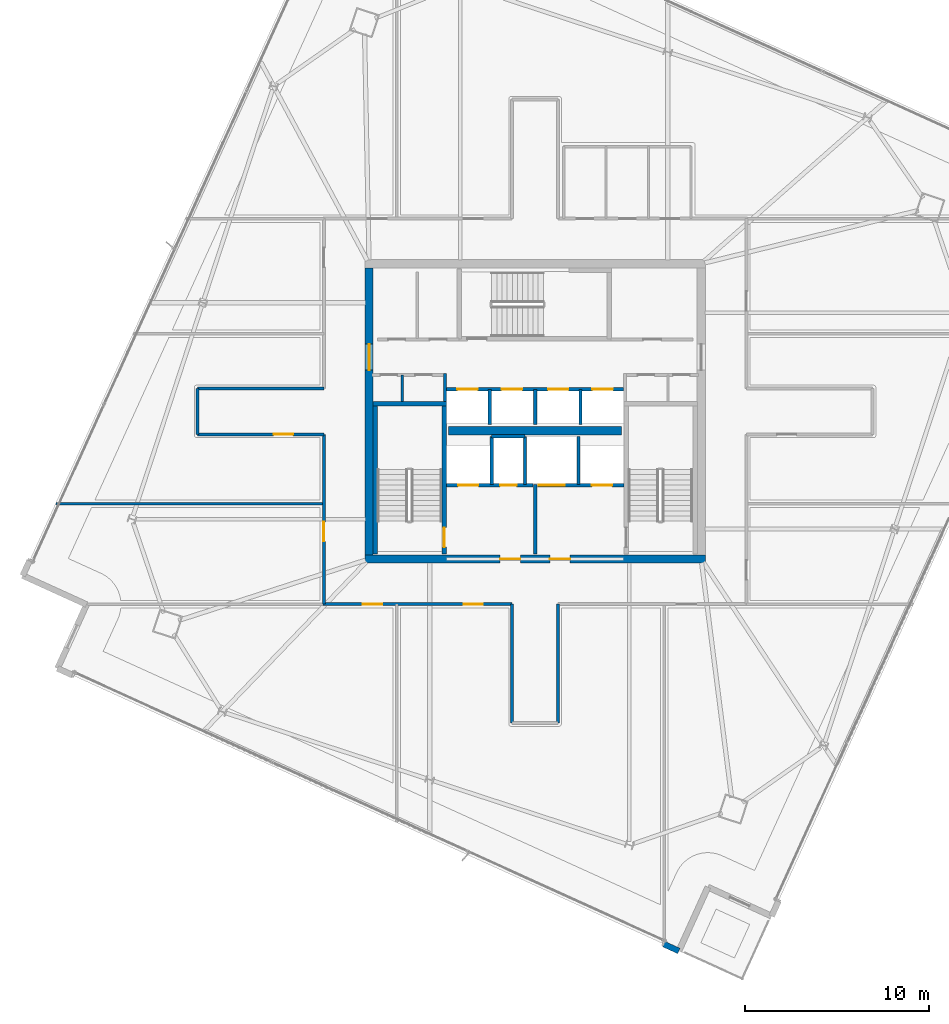
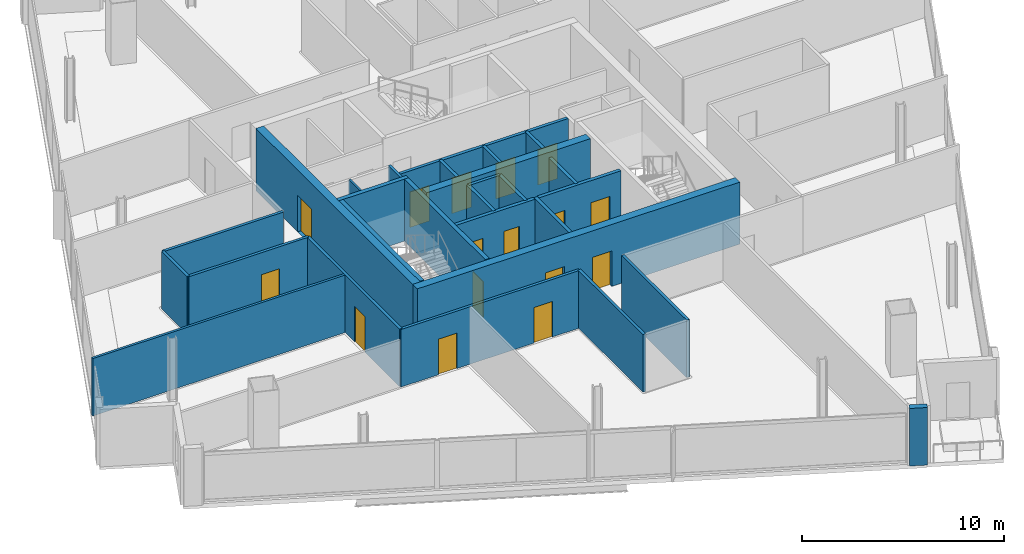
# One storey, part 19 of 26: 28 walls, 16 doors, 16 openings.
"""IFC4 building model written with IfcOpenShell, lengths in metres."""

from ifc_helpers import new_model, si_unit, direction, frame, frame_2d, origin, place, context, subcontext, project, spatial, rectangle, extrude, material, layer, layer_set, type_object, element, fill, save


model = new_model("IFC4")

# Units and contexts
model_context = context("Model", 3, precision=1e-05, world=origin(), true_north=direction((0.0, 1.0)))
body_context = subcontext(model_context, "Body", "Model", "MODEL_VIEW")
ifc_project = project(units=[si_unit("LENGTHUNIT", "METRE"), si_unit("AREAUNIT", "SQUARE_METRE"), si_unit("VOLUMEUNIT", "CUBIC_METRE"), si_unit("PLANEANGLEUNIT", "RADIAN"), si_unit("MASSUNIT", "GRAM", prefix="KILO")], contexts=[model_context])

# Site, building, storey
site_placement = place(None, origin())
site = spatial("IfcSite", under=ifc_project, at=site_placement, CompositionType="ELEMENT")
building_placement = place(site_placement, origin())
building = spatial("IfcBuilding", under=site, at=building_placement, Name="Haldenkirk Collegiate Tower", CompositionType="ELEMENT")
storey_placement = place(building_placement, frame((0.0, 0.0, 248.699951171875)))
storey = spatial("IfcBuildingStorey", under=building, at=storey_placement, Name="L62", CompositionType="ELEMENT", Elevation=248.699951171875)

# Wall, openings, doors
ifc_material_1 = material(Name="Concrete f'c 55 MPa", Category="concrete")
ifc_layer_1 = layer(ifc_material_1, 0.449951171875)
ifc_layer_set_1 = layer_set([ifc_layer_1], Name="Concrete f'c 55 MPa")
wall_type_1 = type_object("IfcWallType", Name="WL-CORE-450", PredefinedType="SHEAR", material=ifc_layer_set_1)
wall_1_placement = place(storey_placement, frame((26.77490234375, 18.0, 0.0), z_axis=(0.0, 0.0, 1.0), x_axis=(1.0, 0.0, 0.0)))
wall_1 = element("IfcWall", 1, at=wall_1_placement, inside=storey, type_object=wall_type_1, Name="L62 central core shear wall S", PredefinedType="SHEAR", context=body_context, shape_type="SweptSolid", body=[
    extrude(rectangle(XDim=18.4501953125, YDim=0.449951171875, at=frame_2d((9.22509765625, 0.0))), origin(), (0.0, 0.0, 1.0), 3.75),
])
opening_1_placement = place(wall_1_placement, frame((7.324951171875, 0.0, 0.0)))
opening_1 = element("IfcOpeningElement", 2, at=opening_1_placement, cuts=wall_1, Name="Opening D-02", PredefinedType="OPENING", context=body_context, shape_type="SweptSolid", body=[
    extrude(rectangle(XDim=1.10009765625, YDim=2.14990234375, at=frame_2d((0.550048828125, 1.074951171875))), frame((0.0, 0.23486328125, 0.0), z_axis=(0.0, -1.0, 0.0), x_axis=(1.0, 0.0, 0.0)), (0.0, 0.0, 1.0), 0.469970703125),
])
opening_2_placement = place(wall_1_placement, frame((10.02490234375, 0.0, 0.0)))
opening_2 = element("IfcOpeningElement", 3, at=opening_2_placement, cuts=wall_1, Name="Opening D-02", PredefinedType="OPENING", context=body_context, shape_type="SweptSolid", body=[
    extrude(rectangle(XDim=1.10009765625, YDim=2.14990234375, at=frame_2d((0.550048828125, 1.074951171875))), frame((0.0, 0.23486328125, 0.0), z_axis=(0.0, -1.0, 0.0), x_axis=(1.0, 0.0, 0.0)), (0.0, 0.0, 1.0), 0.469970703125),
])
ifc_material_2 = material(Name="Galvanized fire-rated hollow steel door", Category="steel")
ifc_layer_2 = layer(ifc_material_2, 0.06005859375)
ifc_layer_set_2 = layer_set([ifc_layer_2], Name="Galvanized fire-rated hollow steel door")
door_type_1 = type_object("IfcDoorType", Name="DR-STAIR-FD90-1100", OperationType="NOTDEFINED", PredefinedType="DOOR", material=ifc_layer_set_2)
door_1_placement = place(opening_1_placement, origin())
door_1 = element("IfcDoor", 4, at=door_1_placement, inside=storey, type_object=door_type_1, Name="L62 Firefighting Lobby 1 door", OperationType="SINGLE_SWING_RIGHT", OverallHeight=2.14990234375, OverallWidth=1.10009765625, PredefinedType="DOOR", context=body_context, shape_type="SweptSolid", body=[
    extrude(rectangle(XDim=1.10009765625, YDim=2.14990234375, at=frame_2d((0.550048828125, 1.074951171875))), frame((0.0, 0.02490234375, 0.0), z_axis=(0.0, -1.0, 0.0), x_axis=(1.0, 0.0, 0.0)), (0.0, 0.0, 1.0), 0.050048828125),
])
fill(opening_1, door_1)
door_2_placement = place(opening_2_placement, origin())
door_2 = element("IfcDoor", 5, at=door_2_placement, inside=storey, type_object=door_type_1, Name="L62 Firefighting Lobby 2 door", OperationType="SINGLE_SWING_LEFT", OverallHeight=2.14990234375, OverallWidth=1.10009765625, PredefinedType="DOOR", context=body_context, shape_type="SweptSolid", body=[
    extrude(rectangle(XDim=1.10009765625, YDim=2.14990234375, at=frame_2d((0.550048828125, 1.074951171875))), frame((0.0, 0.02490234375, 0.0), z_axis=(0.0, -1.0, 0.0), x_axis=(1.0, 0.0, 0.0)), (0.0, 0.0, 1.0), 0.050048828125),
])
fill(opening_2, door_2)

# Wall, opening, door
wall_2_placement = place(storey_placement, frame((27.0, 18.22509765625, 0.0), z_axis=(0.0, 0.0, 1.0), x_axis=(0.0, 1.0, 0.0)))
wall_2 = element("IfcWall", 6, at=wall_2_placement, inside=storey, type_object=wall_type_1, Name="L62 central core shear wall W", PredefinedType="SHEAR", context=body_context, shape_type="SweptSolid", body=[
    extrude(rectangle(XDim=15.5498046875, YDim=0.449951171875, at=frame_2d((7.77490234375, 0.0))), origin(), (0.0, 0.0, 1.0), 3.75),
])
opening_3_placement = place(wall_2_placement, frame((10.014892578125, 0.0, 0.0)))
opening_3 = element("IfcOpeningElement", 7, at=opening_3_placement, cuts=wall_2, Name="Opening D-03", PredefinedType="OPENING", context=body_context, shape_type="SweptSolid", body=[
    extrude(rectangle(XDim=1.39990234375, YDim=2.199951171875, at=frame_2d((0.699951171875, 1.10009765625))), frame((0.0, 0.23486328125, 0.0), z_axis=(0.0, -1.0, 0.0), x_axis=(1.0, 0.0, 0.0)), (0.0, 0.0, 1.0), 0.469970703125),
])
ifc_layer_3 = layer(ifc_material_2, 0.06005859375)
ifc_layer_set_3 = layer_set([ifc_layer_3], Name="Galvanized fire-rated hollow steel door")
door_type_2 = type_object("IfcDoorType", Name="DR-LOBBY-FD90-1400", OperationType="NOTDEFINED", PredefinedType="DOOR", material=ifc_layer_set_3)
door_3_placement = place(opening_3_placement, origin())
door_3 = element("IfcDoor", 8, at=door_3_placement, inside=storey, type_object=door_type_2, Name="L62 west lift lobby portal", OperationType="DOUBLE_DOOR_SINGLE_SWING", OverallHeight=2.199951171875, OverallWidth=1.39990234375, PredefinedType="DOOR", context=body_context, shape_type="SweptSolid", body=[
    extrude(rectangle(XDim=1.39990234375, YDim=2.199951171875, at=frame_2d((0.699951171875, 1.10009765625))), frame((0.0, 0.02490234375, 0.0), z_axis=(0.0, -1.0, 0.0), x_axis=(1.0, 0.0, 0.0)), (0.0, 0.0, 1.0), 0.050048828125),
])
fill(opening_3, door_3)

# Walls
wall_3_placement = place(storey_placement, frame((31.31005859375, 24.949951171875, 0.0), z_axis=(0.0, 0.0, 1.0), x_axis=(1.0, 0.0, 0.0)))
element("IfcWall", 9, at=wall_3_placement, inside=storey, type_object=wall_type_1, Name="L62 central core spine shear wall", PredefinedType="SHEAR", context=body_context, shape_type="SweptSolid", body=[
    extrude(rectangle(XDim=9.3798828125, YDim=0.449951171875, at=frame_2d((4.68994140625, 0.0))), origin(), (0.0, 0.0, 1.0), 3.75),
])
ifc_material_3 = material(Name="Precast concrete f'c 40 MPa", Category="concrete")
ifc_layer_4 = layer(ifc_material_3, 0.320068359375)
ifc_layer_set_4 = layer_set([ifc_layer_4], Name="Precast concrete f'c 40 MPa")
wall_type_2 = type_object("IfcWallType", Name="WL-EXT-TWR-320", PredefinedType="STANDARD", material=ifc_layer_set_4)
wall_4_placement = place(storey_placement, frame((43.79296875, -3.248291015625, 0.0), z_axis=(0.0, 0.0, 1.0), x_axis=(-0.910412923641, 0.413700747483, 0.0)))
element("IfcWall", 10, at=wall_4_placement, inside=storey, type_object=wall_type_2, Name="L62 precast corner pier WL", PredefinedType="STANDARD", context=body_context, shape_type="SweptSolid", body=[
    extrude(rectangle(XDim=0.89990234375, YDim=0.320068359375, at=frame_2d((0.449951171875, 0.0))), origin(), (0.0, 0.0, 1.0), 3.47998046875),
])
ifc_material_4 = material(Name="Acoustic fire-rated gypsum partition", Category="concrete")
ifc_layer_5 = layer(ifc_material_4, 0.159912109375)
ifc_layer_set_5 = layer_set([ifc_layer_5], Name="Acoustic fire-rated gypsum partition")
wall_type_3 = type_object("IfcWallType", Name="WL-INT-CORR-160", PredefinedType="PARTITIONING", material=ifc_layer_set_5)
wall_5_placement = place(storey_placement, frame((31.1201171875, 26.5400390625, 0.0), z_axis=(0.0, 0.0, 1.0), x_axis=(0.0, 1.0, 0.0)))
element("IfcWall", 11, at=wall_5_placement, inside=storey, type_object=wall_type_3, Name="L62 interior partition IW-L62-VCSW-E", PredefinedType="PARTITIONING", context=body_context, shape_type="SweptSolid", body=[
    extrude(rectangle(XDim=1.510009765625, YDim=0.159912109375, at=frame_2d((0.7548828125, 0.0))), origin(), (0.0, 0.0, 1.0), 3.47998046875),
])

# Wall, openings, doors
wall_6_placement = place(storey_placement, frame((24.5, 15.550048828125, 0.0), z_axis=(0.0, 0.0, 1.0), x_axis=(1.0, 0.0, 0.0)))
wall_6 = element("IfcWall", 12, at=wall_6_placement, inside=storey, type_object=wall_type_3, Name="L62 interior partition IW-L62-CS1", PredefinedType="PARTITIONING", context=body_context, shape_type="SweptSolid", body=[
    extrude(rectangle(XDim=10.25, YDim=0.159912109375, at=frame_2d((5.125, 0.0))), origin(), (0.0, 0.0, 1.0), 3.47998046875),
])
opening_4_placement = place(wall_6_placement, frame((2.160888671875, 0.0, 0.0)))
opening_4 = element("IfcOpeningElement", 13, at=opening_4_placement, cuts=wall_6, Name="Opening D-09", PredefinedType="OPENING", context=body_context, shape_type="SweptSolid", body=[
    extrude(rectangle(XDim=1.050048828125, YDim=2.14990234375, at=frame_2d((0.52490234375, 1.074951171875))), frame((0.0, 0.08984375, 0.0), z_axis=(0.0, -1.0, 0.0), x_axis=(1.0, 0.0, 0.0)), (0.0, 0.0, 1.0), 0.179931640625),
])
opening_5_placement = place(wall_6_placement, frame((7.618896484375, 0.0, 0.0)))
opening_5 = element("IfcOpeningElement", 14, at=opening_5_placement, cuts=wall_6, Name="Opening D-09", PredefinedType="OPENING", context=body_context, shape_type="SweptSolid", body=[
    extrude(rectangle(XDim=1.050048828125, YDim=2.14990234375, at=frame_2d((0.52490234375, 1.074951171875))), frame((0.0, 0.08984375, 0.0), z_axis=(0.0, -1.0, 0.0), x_axis=(1.0, 0.0, 0.0)), (0.0, 0.0, 1.0), 0.179931640625),
])
ifc_material_5 = material(Name="Solid-core architectural oak fire door", Category="wood")
ifc_layer_6 = layer(ifc_material_5, 0.06005859375)
ifc_layer_set_6 = layer_set([ifc_layer_6], Name="Solid-core architectural oak fire door")
door_type_3 = type_object("IfcDoorType", Name="DR-INT-FD60-1050", OperationType="NOTDEFINED", PredefinedType="DOOR", material=ifc_layer_set_6)
door_4_placement = place(opening_4_placement, origin())
door_4 = element("IfcDoor", 15, at=door_4_placement, inside=storey, type_object=door_type_3, Name="L62 Faculty Office 1 door", OperationType="SINGLE_SWING_RIGHT", OverallHeight=2.14990234375, OverallWidth=1.050048828125, PredefinedType="DOOR", context=body_context, shape_type="SweptSolid", body=[
    extrude(rectangle(XDim=1.050048828125, YDim=2.14990234375, at=frame_2d((0.52490234375, 1.074951171875))), frame((0.0, 0.02490234375, 0.0), z_axis=(0.0, -1.0, 0.0), x_axis=(1.0, 0.0, 0.0)), (0.0, 0.0, 1.0), 0.050048828125),
])
fill(opening_4, door_4)
door_5_placement = place(opening_5_placement, origin())
door_5 = element("IfcDoor", 16, at=door_5_placement, inside=storey, type_object=door_type_3, Name="L62 Senior Fellow Office 2 door", OperationType="SINGLE_SWING_LEFT", OverallHeight=2.14990234375, OverallWidth=1.050048828125, PredefinedType="DOOR", context=body_context, shape_type="SweptSolid", body=[
    extrude(rectangle(XDim=1.050048828125, YDim=2.14990234375, at=frame_2d((0.52490234375, 1.074951171875))), frame((0.0, 0.02490234375, 0.0), z_axis=(0.0, -1.0, 0.0), x_axis=(1.0, 0.0, 0.0)), (0.0, 0.0, 1.0), 0.050048828125),
])
fill(opening_5, door_5)

# Wall, opening, door
wall_7_placement = place(storey_placement, frame((24.550048828125, 15.550048828125, 0.0), z_axis=(0.0, 0.0, 1.0), x_axis=(0.0, 1.0, 0.0)))
wall_7 = element("IfcWall", 17, at=wall_7_placement, inside=storey, type_object=wall_type_3, Name="L62 interior partition IW-L62-CW1", PredefinedType="PARTITIONING", context=body_context, shape_type="SweptSolid", body=[
    extrude(rectangle(XDim=9.199951171875, YDim=0.159912109375, at=frame_2d((4.60009765625, 0.0))), origin(), (0.0, 0.0, 1.0), 3.47998046875),
])
opening_6_placement = place(wall_7_placement, frame((3.406982421875, 0.0, 0.0)))
opening_6 = element("IfcOpeningElement", 18, at=opening_6_placement, cuts=wall_7, Name="Opening D-09", PredefinedType="OPENING", context=body_context, shape_type="SweptSolid", body=[
    extrude(rectangle(XDim=1.050048828125, YDim=2.14990234375, at=frame_2d((0.52490234375, 1.074951171875))), frame((0.0, 0.08984375, 0.0), z_axis=(0.0, -1.0, 0.0), x_axis=(1.0, 0.0, 0.0)), (0.0, 0.0, 1.0), 0.179931640625),
])
door_6_placement = place(opening_6_placement, origin())
door_6 = element("IfcDoor", 19, at=door_6_placement, inside=storey, type_object=door_type_3, Name="L62 Curator Office 6 door", OperationType="SINGLE_SWING_LEFT", OverallHeight=2.14990234375, OverallWidth=1.050048828125, PredefinedType="DOOR", context=body_context, shape_type="SweptSolid", body=[
    extrude(rectangle(XDim=1.050048828125, YDim=2.14990234375, at=frame_2d((0.52490234375, 1.074951171875))), frame((0.0, 0.02490234375, 0.0), z_axis=(0.0, -1.0, 0.0), x_axis=(1.0, 0.0, 0.0)), (0.0, 0.0, 1.0), 0.050048828125),
])
fill(opening_6, door_6)

# Walls
for number, where, z_axis, x_axis, name in (
    (20, (34.75, 9.10009765625, 0.0), (0.0, 0.0, 1.0), (0.0, 1.0, 0.0), "L62 interior partition IW-L62-SPW"),
    (21, (37.25, 9.10009765625, 0.0), (0.0, 0.0, 1.0), (0.0, 1.0, 0.0), "L62 interior partition IW-L62-SPE"),
):
    element("IfcWall", number, at=place(storey_placement, frame(where, z_axis=z_axis, x_axis=x_axis)), inside=storey, type_object=wall_type_3, Name=name, PredefinedType="PARTITIONING", context=body_context, shape_type="SweptSolid", body=[
        extrude(rectangle(XDim=6.449951171875, YDim=0.159912109375, at=frame_2d((3.22509765625, 0.0))), origin(), (0.0, 0.0, 1.0), 3.47998046875),
    ])

# Wall, opening, door
wall_8_placement = place(storey_placement, frame((17.699951171875, 24.75, 0.0), z_axis=(0.0, 0.0, 1.0), x_axis=(1.0, 0.0, 0.0)))
wall_8 = element("IfcWall", 22, at=wall_8_placement, inside=storey, type_object=wall_type_3, Name="L62 interior partition IW-L62-WPS", PredefinedType="PARTITIONING", context=body_context, shape_type="SweptSolid", body=[
    extrude(rectangle(XDim=6.85009765625, YDim=0.159912109375, at=frame_2d((3.425048828125, 0.0))), origin(), (0.0, 0.0, 1.0), 3.47998046875),
])
opening_7_placement = place(wall_8_placement, frame((4.133056640625, 0.0, 0.0)))
opening_7 = element("IfcOpeningElement", 23, at=opening_7_placement, cuts=wall_8, Name="Opening D-09", PredefinedType="OPENING", context=body_context, shape_type="SweptSolid", body=[
    extrude(rectangle(XDim=1.050048828125, YDim=2.14990234375, at=frame_2d((0.52490234375, 1.074951171875))), frame((0.0, 0.08984375, 0.0), z_axis=(0.0, -1.0, 0.0), x_axis=(1.0, 0.0, 0.0)), (0.0, 0.0, 1.0), 0.179931640625),
])
door_7_placement = place(opening_7_placement, origin())
door_7 = element("IfcDoor", 24, at=door_7_placement, inside=storey, type_object=door_type_3, Name="L62 Faculty Office 7 door", OperationType="SINGLE_SWING_RIGHT", OverallHeight=2.14990234375, OverallWidth=1.050048828125, PredefinedType="DOOR", context=body_context, shape_type="SweptSolid", body=[
    extrude(rectangle(XDim=1.050048828125, YDim=2.14990234375, at=frame_2d((0.52490234375, 1.074951171875))), frame((0.0, 0.02490234375, 0.0), z_axis=(0.0, -1.0, 0.0), x_axis=(1.0, 0.0, 0.0)), (0.0, 0.0, 1.0), 0.050048828125),
])
fill(opening_7, door_7)

# Walls
wall_9_placement = place(storey_placement, frame((17.699951171875, 27.25, 0.0), z_axis=(0.0, 0.0, 1.0), x_axis=(1.0, 0.0, 0.0)))
element("IfcWall", 25, at=wall_9_placement, inside=storey, type_object=wall_type_3, Name="L62 interior partition IW-L62-WPN", PredefinedType="PARTITIONING", context=body_context, shape_type="SweptSolid", body=[
    extrude(rectangle(XDim=6.85009765625, YDim=0.159912109375, at=frame_2d((3.425048828125, 0.0))), origin(), (0.0, 0.0, 1.0), 3.47998046875),
])
wall_10_placement = place(storey_placement, frame((17.699951171875, 24.75, 0.0), z_axis=(0.0, 0.0, 1.0), x_axis=(0.0, 1.0, 0.0)))
element("IfcWall", 26, at=wall_10_placement, inside=storey, type_object=wall_type_3, Name="L62 interior partition IW-L62-WPW", PredefinedType="PARTITIONING", context=body_context, shape_type="SweptSolid", body=[
    extrude(rectangle(XDim=2.5, YDim=0.159912109375, at=frame_2d((1.25, 0.0))), origin(), (0.0, 0.0, 1.0), 3.47998046875),
])
ifc_layer_7 = layer(ifc_material_4, 0.139892578125)
ifc_layer_set_7 = layer_set([ifc_layer_7], Name="Acoustic fire-rated gypsum partition")
wall_type_4 = type_object("IfcWallType", Name="WL-INT-DIV-140", PredefinedType="PARTITIONING", material=ifc_layer_set_7)
wall_11_placement = place(storey_placement, frame((10.042724609375, 21.0, 0.0), z_axis=(0.0, 0.0, 1.0), x_axis=(1.0, 0.0, 0.0)))
element("IfcWall", 27, at=wall_11_placement, inside=storey, type_object=wall_type_4, Name="L62 interior partition IW-L62-RW1", PredefinedType="PARTITIONING", context=body_context, shape_type="SweptSolid", body=[
    extrude(rectangle(XDim=14.50732421875, YDim=0.139892578125, at=frame_2d((7.253662109375, 0.0))), origin(), (0.0, 0.0, 1.0), 3.47998046875),
])
ifc_material_6 = material(Name="Fire-rated gypsum shaftboard assembly", Category="concrete")
ifc_layer_8 = layer(ifc_material_6, 0.179931640625)
ifc_layer_set_8 = layer_set([ifc_layer_8], Name="Fire-rated gypsum shaftboard assembly")
wall_type_5 = type_object("IfcWallType", Name="WL-INT-SHAFT-180", PredefinedType="PARTITIONING", material=ifc_layer_set_8)
for number, where, z_axis, x_axis, name in (
    (28, (33.64990234375, 22.050048828125, 0.0), (0.0, 0.0, 1.0), (0.0, 1.0, 0.0), "L62 interior partition IW-L62-FL1E"),
    (29, (35.449951171875, 22.050048828125, 0.0), (0.0, 0.0, 1.0), (0.0, 1.0, 0.0), "L62 interior partition IW-L62-GL1W"),
):
    element("IfcWall", number, at=place(storey_placement, frame(where, z_axis=z_axis, x_axis=x_axis)), inside=storey, type_object=wall_type_5, Name=name, PredefinedType="PARTITIONING", context=body_context, shape_type="SweptSolid", body=[
        extrude(rectangle(XDim=2.599853515625, YDim=0.179931640625, at=frame_2d((1.2998046875, 0.0))), origin(), (0.0, 0.0, 1.0), 3.47998046875),
    ])
wall_12_placement = place(storey_placement, frame((33.64990234375, 24.64990234375, 0.0), z_axis=(0.0, 0.0, 1.0), x_axis=(1.0, 0.0, 0.0)))
element("IfcWall", 30, at=wall_12_placement, inside=storey, type_object=wall_type_5, Name="L62 interior partition IW-L62-RSRN", PredefinedType="PARTITIONING", context=body_context, shape_type="SweptSolid", body=[
    extrude(rectangle(XDim=1.800048828125, YDim=0.179931640625, at=frame_2d((0.89990234375, 0.0))), origin(), (0.0, 0.0, 1.0), 3.47998046875),
])
wall_13_placement = place(storey_placement, frame((38.35009765625, 22.050048828125, 0.0), z_axis=(0.0, 0.0, 1.0), x_axis=(0.0, 1.0, 0.0)))
element("IfcWall", 31, at=wall_13_placement, inside=storey, type_object=wall_type_5, Name="L62 interior partition IW-L62-GL1E", PredefinedType="PARTITIONING", context=body_context, shape_type="SweptSolid", body=[
    extrude(rectangle(XDim=2.599853515625, YDim=0.179931640625, at=frame_2d((1.2998046875, 0.0))), origin(), (0.0, 0.0, 1.0), 3.47998046875),
])

# Wall, openings, doors
wall_14_placement = place(storey_placement, frame((31.199951171875, 27.199951171875, 0.0), z_axis=(0.0, 0.0, 1.0), x_axis=(1.0, 0.0, 0.0)))
wall_14 = element("IfcWall", 32, at=wall_14_placement, inside=storey, type_object=wall_type_5, Name="L62 interior partition IW-L62-PHN", PredefinedType="PARTITIONING", context=body_context, shape_type="SweptSolid", body=[
    extrude(rectangle(XDim=9.60009765625, YDim=0.179931640625, at=frame_2d((4.800048828125, 0.0))), origin(), (0.0, 0.0, 1.0), 3.47998046875),
])
opening_8_placement = place(wall_14_placement, frame((0.590087890625, 0.0, 0.0)))
opening_8 = element("IfcOpeningElement", 33, at=opening_8_placement, cuts=wall_14, Name="Opening LD-11", PredefinedType="OPENING", context=body_context, shape_type="SweptSolid", body=[
    extrude(rectangle(XDim=1.10009765625, YDim=2.14990234375, at=frame_2d((0.550048828125, 1.074951171875))), frame((0.0, 0.099853515625, 0.0), z_axis=(0.0, -1.0, 0.0), x_axis=(1.0, 0.0, 0.0)), (0.0, 0.0, 1.0), 0.199951171875),
])
opening_9_placement = place(wall_14_placement, frame((2.989990234375, 0.0, 0.0)))
opening_9 = element("IfcOpeningElement", 34, at=opening_9_placement, cuts=wall_14, Name="Opening LD-11", PredefinedType="OPENING", context=body_context, shape_type="SweptSolid", body=[
    extrude(rectangle(XDim=1.10009765625, YDim=2.14990234375, at=frame_2d((0.550048828125, 1.074951171875))), frame((0.0, 0.099853515625, 0.0), z_axis=(0.0, -1.0, 0.0), x_axis=(1.0, 0.0, 0.0)), (0.0, 0.0, 1.0), 0.199951171875),
])
opening_10_placement = place(wall_14_placement, frame((5.510009765625, 0.0, 0.0)))
opening_10 = element("IfcOpeningElement", 35, at=opening_10_placement, cuts=wall_14, Name="Opening LD-11", PredefinedType="OPENING", context=body_context, shape_type="SweptSolid", body=[
    extrude(rectangle(XDim=1.10009765625, YDim=2.14990234375, at=frame_2d((0.550048828125, 1.074951171875))), frame((0.0, 0.099853515625, 0.0), z_axis=(0.0, -1.0, 0.0), x_axis=(1.0, 0.0, 0.0)), (0.0, 0.0, 1.0), 0.199951171875),
])
opening_11_placement = place(wall_14_placement, frame((7.909912109375, 0.0, 0.0)))
opening_11 = element("IfcOpeningElement", 36, at=opening_11_placement, cuts=wall_14, Name="Opening LD-11", PredefinedType="OPENING", context=body_context, shape_type="SweptSolid", body=[
    extrude(rectangle(XDim=1.10009765625, YDim=2.14990234375, at=frame_2d((0.550048828125, 1.074951171875))), frame((0.0, 0.099853515625, 0.0), z_axis=(0.0, -1.0, 0.0), x_axis=(1.0, 0.0, 0.0)), (0.0, 0.0, 1.0), 0.199951171875),
])
ifc_material_7 = material(Name="Brushed architectural stainless steel", Category="steel")
ifc_layer_9 = layer(ifc_material_7, 0.06005859375)
ifc_layer_set_9 = layer_set([ifc_layer_9], Name="Brushed architectural stainless steel")
door_type_4 = type_object("IfcDoorType", Name="LD-PASS-1100", OperationType="NOTDEFINED", PredefinedType="DOOR", material=ifc_layer_set_9)
door_8_placement = place(opening_8_placement, origin())
door_8 = element("IfcDoor", 37, at=door_8_placement, inside=storey, type_object=door_type_4, Name="L62 Elevator PH1 sliding landing door", OperationType="SLIDING_TO_LEFT", OverallHeight=2.14990234375, OverallWidth=1.10009765625, PredefinedType="DOOR", context=body_context, shape_type="SweptSolid", body=[
    extrude(rectangle(XDim=1.10009765625, YDim=2.14990234375, at=frame_2d((0.550048828125, 1.074951171875))), frame((0.0, 0.02490234375, 0.0), z_axis=(0.0, -1.0, 0.0), x_axis=(1.0, 0.0, 0.0)), (0.0, 0.0, 1.0), 0.050048828125),
])
fill(opening_8, door_8)
door_9_placement = place(opening_9_placement, origin())
door_9 = element("IfcDoor", 38, at=door_9_placement, inside=storey, type_object=door_type_4, Name="L62 Elevator PH2 sliding landing door", OperationType="SLIDING_TO_LEFT", OverallHeight=2.14990234375, OverallWidth=1.10009765625, PredefinedType="DOOR", context=body_context, shape_type="SweptSolid", body=[
    extrude(rectangle(XDim=1.10009765625, YDim=2.14990234375, at=frame_2d((0.550048828125, 1.074951171875))), frame((0.0, 0.02490234375, 0.0), z_axis=(0.0, -1.0, 0.0), x_axis=(1.0, 0.0, 0.0)), (0.0, 0.0, 1.0), 0.050048828125),
])
fill(opening_9, door_9)
door_10_placement = place(opening_10_placement, origin())
door_10 = element("IfcDoor", 39, at=door_10_placement, inside=storey, type_object=door_type_4, Name="L62 Elevator PH3 sliding landing door", OperationType="SLIDING_TO_LEFT", OverallHeight=2.14990234375, OverallWidth=1.10009765625, PredefinedType="DOOR", context=body_context, shape_type="SweptSolid", body=[
    extrude(rectangle(XDim=1.10009765625, YDim=2.14990234375, at=frame_2d((0.550048828125, 1.074951171875))), frame((0.0, 0.02490234375, 0.0), z_axis=(0.0, -1.0, 0.0), x_axis=(1.0, 0.0, 0.0)), (0.0, 0.0, 1.0), 0.050048828125),
])
fill(opening_10, door_10)
door_11_placement = place(opening_11_placement, origin())
door_11 = element("IfcDoor", 40, at=door_11_placement, inside=storey, type_object=door_type_4, Name="L62 Elevator PH4 sliding landing door", OperationType="SLIDING_TO_LEFT", OverallHeight=2.14990234375, OverallWidth=1.10009765625, PredefinedType="DOOR", context=body_context, shape_type="SweptSolid", body=[
    extrude(rectangle(XDim=1.10009765625, YDim=2.14990234375, at=frame_2d((0.550048828125, 1.074951171875))), frame((0.0, 0.02490234375, 0.0), z_axis=(0.0, -1.0, 0.0), x_axis=(1.0, 0.0, 0.0)), (0.0, 0.0, 1.0), 0.050048828125),
])
fill(opening_11, door_11)

# Walls
for number, where, z_axis, x_axis, name in (
    (41, (33.5400390625, 25.300048828125, 0.0), (0.0, 0.0, 1.0), (0.0, 1.0, 0.0), "L62 interior partition IW-L62-PHV1"),
    (42, (36.0, 25.300048828125, 0.0), (0.0, 0.0, 1.0), (0.0, 1.0, 0.0), "L62 interior partition IW-L62-PHV2"),
    (43, (38.4599609375, 25.300048828125, 0.0), (0.0, 0.0, 1.0), (0.0, 1.0, 0.0), "L62 interior partition IW-L62-PHV3"),
):
    element("IfcWall", number, at=place(storey_placement, frame(where, z_axis=z_axis, x_axis=x_axis)), inside=storey, type_object=wall_type_5, Name=name, PredefinedType="PARTITIONING", context=body_context, shape_type="SweptSolid", body=[
        extrude(rectangle(XDim=1.89990234375, YDim=0.179931640625, at=frame_2d((0.949951171875, 0.0))), origin(), (0.0, 0.0, 1.0), 3.47998046875),
    ])
ifc_layer_10 = layer(ifc_material_6, 0.199951171875)
ifc_layer_set_10 = layer_set([ifc_layer_10], Name="Fire-rated gypsum shaftboard assembly")
wall_type_6 = type_object("IfcWallType", Name="WL-INT-SHAFT-200", PredefinedType="PARTITIONING", material=ifc_layer_set_10)
wall_15_placement = place(storey_placement, frame((36.0, 18.280029296875, 0.0), z_axis=(0.0, 0.0, 1.0), x_axis=(0.0, 1.0, 0.0)))
element("IfcWall", 44, at=wall_15_placement, inside=storey, type_object=wall_type_6, Name="L62 interior partition IW-L62-FFLM", PredefinedType="PARTITIONING", context=body_context, shape_type="SweptSolid", body=[
    extrude(rectangle(XDim=3.77001953125, YDim=0.199951171875, at=frame_2d((1.885009765625, 0.0))), origin(), (0.0, 0.0, 1.0), 3.47998046875),
])

# Wall, openings, doors
wall_16_placement = place(storey_placement, frame((31.18994140625, 22.0, 0.0), z_axis=(0.0, 0.0, 1.0), x_axis=(1.0, 0.0, 0.0)))
wall_16 = element("IfcWall", 45, at=wall_16_placement, inside=storey, type_object=wall_type_6, Name="L62 interior partition IW-L62-FFL1N", PredefinedType="PARTITIONING", context=body_context, shape_type="SweptSolid", body=[
    extrude(rectangle(XDim=4.68994140625, YDim=0.199951171875, at=frame_2d((2.344970703125, 0.0))), origin(), (0.0, 0.0, 1.0), 3.47998046875),
])
opening_12_placement = place(wall_16_placement, frame((2.909912109375, 0.0, 0.0)))
opening_12 = element("IfcOpeningElement", 46, at=opening_12_placement, cuts=wall_16, Name="Opening D-06", PredefinedType="OPENING", context=body_context, shape_type="SweptSolid", body=[
    extrude(rectangle(XDim=0.89990234375, YDim=2.14990234375, at=frame_2d((0.449951171875, 1.074951171875))), frame((0.0, 0.10986328125, 0.0), z_axis=(0.0, -1.0, 0.0), x_axis=(1.0, 0.0, 0.0)), (0.0, 0.0, 1.0), 0.219970703125),
])
opening_13_placement = place(wall_16_placement, frame((0.635009765625, 0.0, 0.0)))
opening_13 = element("IfcOpeningElement", 47, at=opening_13_placement, cuts=wall_16, Name="Opening LD-12", PredefinedType="OPENING", context=body_context, shape_type="SweptSolid", body=[
    extrude(rectangle(XDim=1.10009765625, YDim=2.14990234375, at=frame_2d((0.550048828125, 1.074951171875))), frame((0.0, 0.10986328125, 0.0), z_axis=(0.0, -1.0, 0.0), x_axis=(1.0, 0.0, 0.0)), (0.0, 0.0, 1.0), 0.219970703125),
])
ifc_layer_11 = layer(ifc_material_2, 0.06005859375)
ifc_layer_set_11 = layer_set([ifc_layer_11], Name="Galvanized fire-rated hollow steel door")
door_type_5 = type_object("IfcDoorType", Name="DR-INT-FD90-900", OperationType="NOTDEFINED", PredefinedType="DOOR", material=ifc_layer_set_11)
door_12_placement = place(opening_12_placement, origin())
door_12 = element("IfcDoor", 48, at=door_12_placement, inside=storey, type_object=door_type_5, Name="L62 electrical riser door", OperationType="SINGLE_SWING_RIGHT", OverallHeight=2.14990234375, OverallWidth=0.89990234375, PredefinedType="DOOR", context=body_context, shape_type="SweptSolid", body=[
    extrude(rectangle(XDim=0.89990234375, YDim=2.14990234375, at=frame_2d((0.449951171875, 1.074951171875))), frame((0.0, 0.02490234375, 0.0), z_axis=(0.0, -1.0, 0.0), x_axis=(1.0, 0.0, 0.0)), (0.0, 0.0, 1.0), 0.050048828125),
])
fill(opening_12, door_12)
ifc_layer_12 = layer(ifc_material_7, 0.06005859375)
ifc_layer_set_12 = layer_set([ifc_layer_12], Name="Brushed architectural stainless steel")
door_type_6 = type_object("IfcDoorType", Name="LD-FIRE-1100", OperationType="NOTDEFINED", PredefinedType="DOOR", material=ifc_layer_set_12)
door_13_placement = place(opening_13_placement, origin())
door_13 = element("IfcDoor", 49, at=door_13_placement, inside=storey, type_object=door_type_6, Name="L62 Elevator FL1 sliding landing door", OperationType="SLIDING_TO_LEFT", OverallHeight=2.14990234375, OverallWidth=1.10009765625, PredefinedType="DOOR", context=body_context, shape_type="SweptSolid", body=[
    extrude(rectangle(XDim=1.10009765625, YDim=2.14990234375, at=frame_2d((0.550048828125, 1.074951171875))), frame((0.0, 0.02490234375, 0.0), z_axis=(0.0, -1.0, 0.0), x_axis=(1.0, 0.0, 0.0)), (0.0, 0.0, 1.0), 0.050048828125),
])
fill(opening_13, door_13)

wall_17_placement = place(storey_placement, frame((36.1201171875, 22.0, 0.0), z_axis=(0.0, 0.0, 1.0), x_axis=(1.0, 0.0, 0.0)))
wall_17 = element("IfcWall", 50, at=wall_17_placement, inside=storey, type_object=wall_type_6, Name="L62 interior partition IW-L62-FFL2N", PredefinedType="PARTITIONING", context=body_context, shape_type="SweptSolid", body=[
    extrude(rectangle(XDim=4.68994140625, YDim=0.199951171875, at=frame_2d((2.344970703125, 0.0))), origin(), (0.0, 0.0, 1.0), 3.47998046875),
])
opening_14_placement = place(wall_17_placement, frame((2.955078125, 0.0, 0.0)))
opening_14 = element("IfcOpeningElement", 51, at=opening_14_placement, cuts=wall_17, Name="Opening LD-12", PredefinedType="OPENING", context=body_context, shape_type="SweptSolid", body=[
    extrude(rectangle(XDim=1.10009765625, YDim=2.14990234375, at=frame_2d((0.550048828125, 1.074951171875))), frame((0.0, 0.10986328125, 0.0), z_axis=(0.0, -1.0, 0.0), x_axis=(1.0, 0.0, 0.0)), (0.0, 0.0, 1.0), 0.219970703125),
])
opening_15_placement = place(wall_17_placement, frame((0.080078125, 0.0, 0.0)))
opening_15 = element("IfcOpeningElement", 52, at=opening_15_placement, cuts=wall_17, Name="Opening LD-13", PredefinedType="OPENING", context=body_context, shape_type="SweptSolid", body=[
    extrude(rectangle(XDim=1.39990234375, YDim=2.199951171875, at=frame_2d((0.699951171875, 1.10009765625))), frame((0.0, 0.10986328125, 0.0), z_axis=(0.0, -1.0, 0.0), x_axis=(1.0, 0.0, 0.0)), (0.0, 0.0, 1.0), 0.219970703125),
])
door_14_placement = place(opening_14_placement, origin())
door_14 = element("IfcDoor", 53, at=door_14_placement, inside=storey, type_object=door_type_6, Name="L62 Elevator FL2 sliding landing door", OperationType="SLIDING_TO_LEFT", OverallHeight=2.14990234375, OverallWidth=1.10009765625, PredefinedType="DOOR", context=body_context, shape_type="SweptSolid", body=[
    extrude(rectangle(XDim=1.10009765625, YDim=2.14990234375, at=frame_2d((0.550048828125, 1.074951171875))), frame((0.0, 0.02490234375, 0.0), z_axis=(0.0, -1.0, 0.0), x_axis=(1.0, 0.0, 0.0)), (0.0, 0.0, 1.0), 0.050048828125),
])
fill(opening_14, door_14)
ifc_layer_13 = layer(ifc_material_7, 0.06005859375)
ifc_layer_set_13 = layer_set([ifc_layer_13], Name="Brushed architectural stainless steel")
door_type_7 = type_object("IfcDoorType", Name="LD-GOODS-1400", OperationType="NOTDEFINED", PredefinedType="DOOR", material=ifc_layer_set_13)
door_15_placement = place(opening_15_placement, origin())
door_15 = element("IfcDoor", 54, at=door_15_placement, inside=storey, type_object=door_type_7, Name="L62 Elevator GL1 sliding landing door", OperationType="SLIDING_TO_LEFT", OverallHeight=2.199951171875, OverallWidth=1.39990234375, PredefinedType="DOOR", context=body_context, shape_type="SweptSolid", body=[
    extrude(rectangle(XDim=1.39990234375, YDim=2.199951171875, at=frame_2d((0.699951171875, 1.10009765625))), frame((0.0, 0.02490234375, 0.0), z_axis=(0.0, -1.0, 0.0), x_axis=(1.0, 0.0, 0.0)), (0.0, 0.0, 1.0), 0.050048828125),
])
fill(opening_15, door_15)

# Wall
ifc_layer_14 = layer(ifc_material_4, 0.1201171875)
ifc_layer_set_14 = layer_set([ifc_layer_14], Name="Acoustic fire-rated gypsum partition")
wall_type_7 = type_object("IfcWallType", Name="WL-INT-WET-120", PredefinedType="PARTITIONING", material=ifc_layer_set_14)
wall_18_placement = place(storey_placement, frame((28.800048828125, 26.5400390625, 0.0), z_axis=(0.0, 0.0, 1.0), x_axis=(0.0, 1.0, 0.0)))
element("IfcWall", 55, at=wall_18_placement, inside=storey, type_object=wall_type_7, Name="L62 interior partition IW-L62-VCSW-M", PredefinedType="PARTITIONING", context=body_context, shape_type="SweptSolid", body=[
    extrude(rectangle(XDim=1.43994140625, YDim=0.1201171875, at=frame_2d((0.719970703125, 0.0))), origin(), (0.0, 0.0, 1.0), 3.47998046875),
])

# Wall, opening, door
ifc_layer_15 = layer(ifc_material_1, 0.239990234375)
ifc_layer_set_15 = layer_set([ifc_layer_15], Name="Concrete f'c 55 MPa")
wall_type_8 = type_object("IfcWallType", Name="WL-SHAFT-240", PredefinedType="SHEAR", material=ifc_layer_set_15)
wall_19_placement = place(storey_placement, frame((31.070068359375, 18.280029296875, 0.0), z_axis=(0.0, 0.0, 1.0), x_axis=(0.0, 1.0, 0.0)))
wall_19 = element("IfcWall", 56, at=wall_19_placement, inside=storey, type_object=wall_type_8, Name="L62 stair shaft shear wall SW-L62-ST1E", PredefinedType="SHEAR", context=body_context, shape_type="SweptSolid", body=[
    extrude(rectangle(XDim=8.260009765625, YDim=0.239990234375, at=frame_2d((4.1298828125, 0.0))), origin(), (0.0, 0.0, 1.0), 3.75),
])
opening_16_placement = place(wall_19_placement, frame((0.364990234375, 0.0, 0.0)))
opening_16 = element("IfcOpeningElement", 57, at=opening_16_placement, cuts=wall_19, Name="Opening D-01", PredefinedType="OPENING", context=body_context, shape_type="SweptSolid", body=[
    extrude(rectangle(XDim=1.050048828125, YDim=2.14990234375, at=frame_2d((0.52490234375, 1.074951171875))), frame((0.0, 0.1298828125, 0.0), z_axis=(0.0, -1.0, 0.0), x_axis=(1.0, 0.0, 0.0)), (0.0, 0.0, 1.0), 0.260009765625),
])
ifc_layer_16 = layer(ifc_material_2, 0.06005859375)
ifc_layer_set_16 = layer_set([ifc_layer_16], Name="Galvanized fire-rated hollow steel door")
door_type_8 = type_object("IfcDoorType", Name="DR-STAIR-FD90-1050", OperationType="NOTDEFINED", PredefinedType="DOOR", material=ifc_layer_set_16)
door_16_placement = place(opening_16_placement, origin())
door_16 = element("IfcDoor", 58, at=door_16_placement, inside=storey, type_object=door_type_8, Name="L62 Stair 1 door", OperationType="SINGLE_SWING_LEFT", OverallHeight=2.14990234375, OverallWidth=1.050048828125, PredefinedType="DOOR", context=body_context, shape_type="SweptSolid", body=[
    extrude(rectangle(XDim=1.050048828125, YDim=2.14990234375, at=frame_2d((0.52490234375, 1.074951171875))), frame((0.0, 0.02490234375, 0.0), z_axis=(0.0, -1.0, 0.0), x_axis=(1.0, 0.0, 0.0)), (0.0, 0.0, 1.0), 0.050048828125),
])
fill(opening_16, door_16)

# Walls
wall_20_placement = place(storey_placement, frame((27.2099609375, 26.419921875, 0.0), z_axis=(0.0, 0.0, 1.0), x_axis=(1.0, 0.0, 0.0)))
element("IfcWall", 59, at=wall_20_placement, inside=storey, type_object=wall_type_8, Name="L62 stair shaft shear wall SW-L62-ST1N", PredefinedType="SHEAR", context=body_context, shape_type="SweptSolid", body=[
    extrude(rectangle(XDim=3.97998046875, YDim=0.239990234375, at=frame_2d((1.989990234375, 0.0))), origin(), (0.0, 0.0, 1.0), 3.75),
])
wall_21_placement = place(storey_placement, frame((27.330078125, 18.280029296875, 0.0), z_axis=(0.0, 0.0, 1.0), x_axis=(0.0, 1.0, 0.0)))
element("IfcWall", 60, at=wall_21_placement, inside=storey, type_object=wall_type_8, Name="L62 stair shaft shear wall SW-L62-ST1W", PredefinedType="SHEAR", context=body_context, shape_type="SweptSolid", body=[
    extrude(rectangle(XDim=8.260009765625, YDim=0.239990234375, at=frame_2d((4.1298828125, 0.0))), origin(), (0.0, 0.0, 1.0), 3.75),
])

save(model, "model.ifc")
